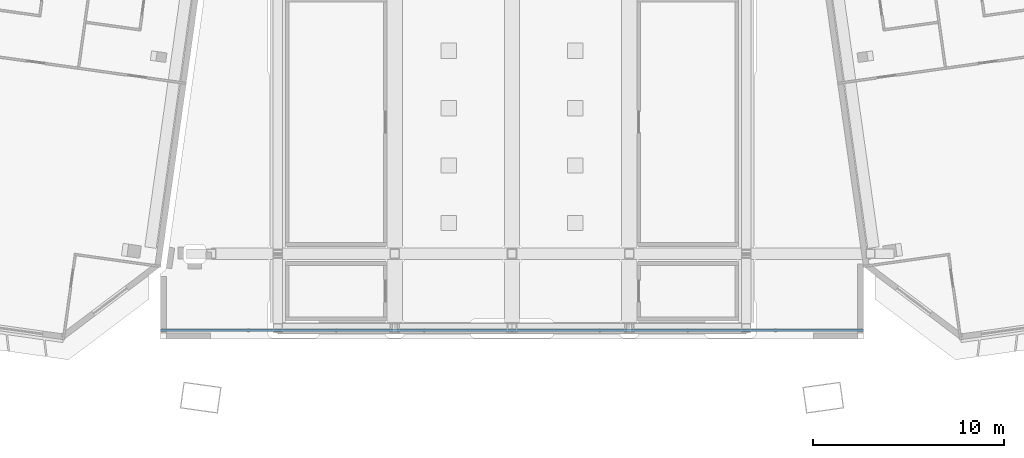
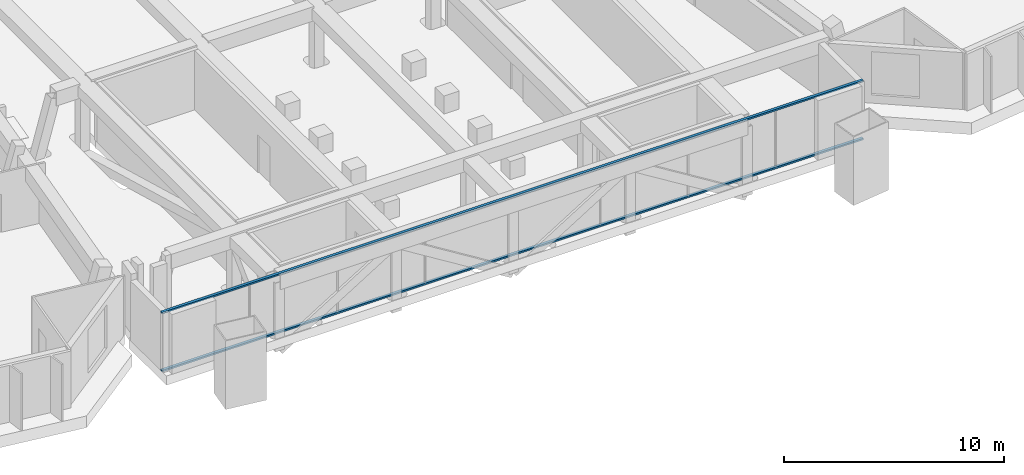
# One storey, part 4 of 30: 2 members, 1 element without a shape of its own.
"""IFC4 building model written with IfcOpenShell, lengths in metres."""

from ifc_helpers import new_model, si_unit, direction, frame, origin, origin_2d, place, context, subcontext, project, spatial, rectangle, extrude, material, material_profile, profile_set, type_object, element, aggregate, save


model = new_model("IFC4")

# Units and contexts
model_context = context("Model", 3, precision=1e-05, world=origin(), true_north=direction((0.0, 1.0)))
body_context = subcontext(model_context, "Body", "Model", "MODEL_VIEW")
ifc_project = project(units=[si_unit("LENGTHUNIT", "METRE"), si_unit("AREAUNIT", "SQUARE_METRE"), si_unit("VOLUMEUNIT", "CUBIC_METRE"), si_unit("PLANEANGLEUNIT", "RADIAN"), si_unit("MASSUNIT", "GRAM", prefix="KILO")], contexts=[model_context])

# Site, building, storey
site_placement = place(None, origin())
site = spatial("IfcSite", under=ifc_project, at=site_placement, CompositionType="ELEMENT")
building_placement = place(site_placement, origin())
building = spatial("IfcBuilding", under=site, at=building_placement, Name="Mirante Cascada Hotel Towers", CompositionType="ELEMENT")
storey_placement = place(building_placement, frame((0.0, 0.0, 258.4)))
storey = spatial("IfcBuildingStorey", under=building, at=storey_placement, Name="L62", CompositionType="ELEMENT", Elevation=258.4)

# Curtain wall, members
ifc_material_1 = material(Name="Aluminium mullion and transom frame with clear laminated glass", Category="aluminium")
curtain_wall_type = type_object("IfcCurtainWallType", Name="Sky park deck curtain wall ECW5", PredefinedType="NOTDEFINED", material=ifc_material_1)
curtain_wall_placement = place(storey_placement, origin())
curtain_wall = element("IfcCurtainWall", 1, at=curtain_wall_placement, inside=storey, type_object=curtain_wall_type, Name="Sky park glazing L62 run 1", PredefinedType="NOTDEFINED")
ifc_material_2 = material(Name="Anodised aluminium extrusion", Category="aluminium")
ifc_material_profile = material_profile(ifc_material_2, rectangle(XDim=0.15, YDim=0.09, at=origin_2d()), Name="ECW5 TRANSOM 90x150")
ifc_profile_set = profile_set([ifc_material_profile], Name="Anodised aluminium extrusion")
member_type = type_object("IfcMemberType", Name="ECW5 transom 90x150", PredefinedType="USERDEFINED", material=ifc_profile_set)
member_1_placement = place(storey_placement, frame((-18.3724, -21.6089, 0.045), z_axis=(1.0, 0.0, 0.0), x_axis=(0.0, 1.0, 0.0)))
member_1 = element("IfcMember", 2, at=member_1_placement, type_object=member_type, Name="ECW5 sill transom", ObjectType="TRANSOM", PredefinedType="USERDEFINED", context=body_context, shape_type="SweptSolid", body=[
    extrude(rectangle(XDim=0.15, YDim=0.09, at=origin_2d()), origin(), (0.0, 0.0, 1.0), 36.7448),
])
member_2_placement = place(storey_placement, frame((-18.3724, -21.6089, 3.255), z_axis=(1.0, 0.0, 0.0), x_axis=(0.0, 1.0, 0.0)))
member_2 = element("IfcMember", 3, at=member_2_placement, type_object=member_type, Name="ECW5 head transom", ObjectType="TRANSOM", PredefinedType="USERDEFINED", context=body_context, shape_type="SweptSolid", body=[
    extrude(rectangle(XDim=0.15, YDim=0.09, at=origin_2d()), origin(), (0.0, 0.0, 1.0), 36.7448),
])
aggregate(curtain_wall, [member_1, member_2])

save(model, "model.ifc")
